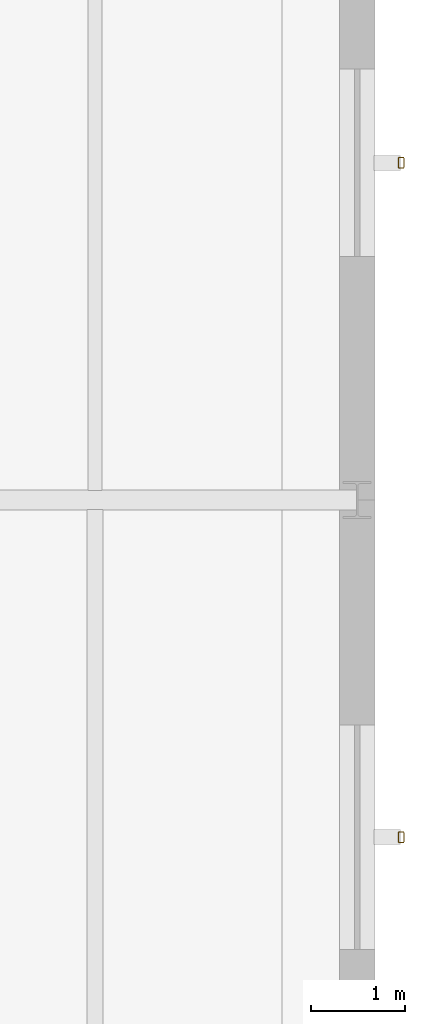
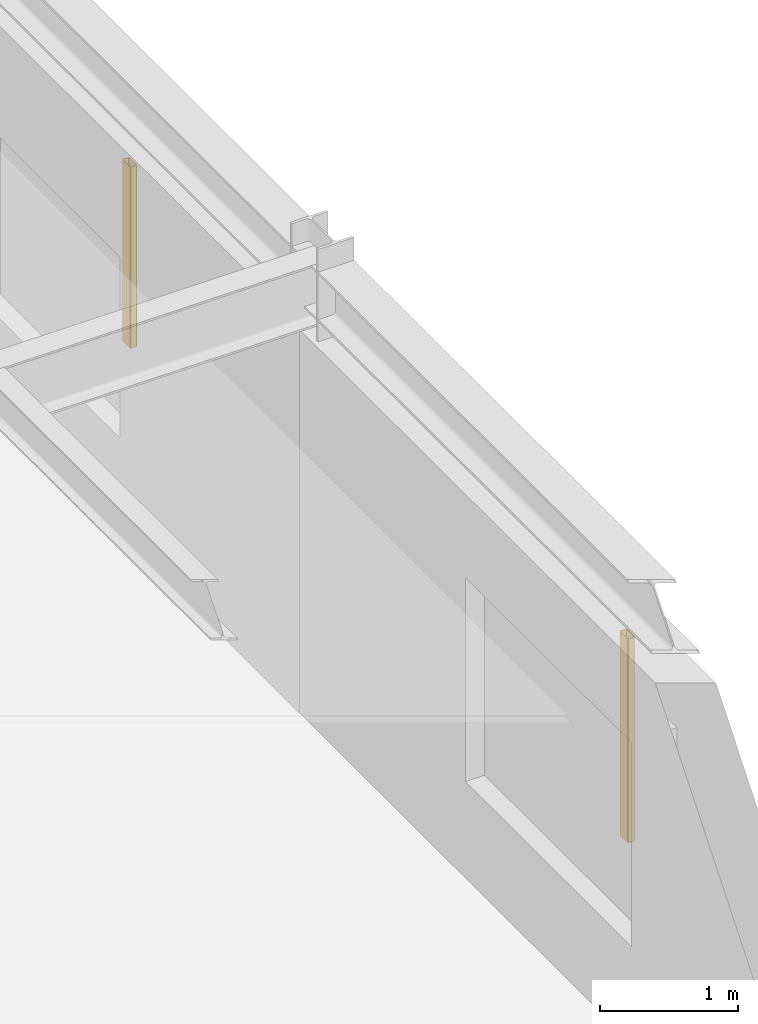
# One storey, part 100 of 109: 2 shading devices.
"""IFC4 building model written with IfcOpenShell, lengths in metres."""

import ifcopenshell
import ifcopenshell.guid

model = None  # the IFC model being written
_history = None  # IfcOwnerHistory: only IFC2X3 demands one
_inside = {}  # id of a spatial element -> (the spatial element, [elements in it])
_under = {}  # id of a project, library or spatial element -> (it, [spatial elements below it])
_declared = {}  # id of a project -> (the project, [libraries it declares])
_typed = {}  # id of a type object -> (the type object, [elements of that type])
_made_of = {}  # id of a material, layer set ... -> (it, [elements and type objects made of it])


def new_model(schema):
    """Start an empty IFC model of exactly this schema.

    Asked for "IFC4X3", IfcOpenShell would pick the latest addendum, in which some entities
    have other attributes; the version numbers below select the first issue.
    IFC2X3 requires an IfcOwnerHistory on every rooted entity: one is made here for all.
    """
    global model, _history
    if schema == "IFC4X3":
        model = ifcopenshell.file(schema_version=(4, 3, 0, 0))
    else:
        model = ifcopenshell.file(schema=schema)
    _inside.clear()
    _under.clear()
    _declared.clear()
    _typed.clear()
    _made_of.clear()
    _history = None
    if model.schema == "IFC2X3":
        org = make("IfcOrganization", Name="unknown")
        user = make(
            "IfcPersonAndOrganization",
            ThePerson=make("IfcPerson", FamilyName="unknown"),
            TheOrganization=org,
        )
        app = make(
            "IfcApplication",
            ApplicationDeveloper=org,
            Version="unknown",
            ApplicationFullName="unknown",
            ApplicationIdentifier="unknown",
        )
        _history = make(
            "IfcOwnerHistory",
            OwningUser=user,
            OwningApplication=app,
            ChangeAction="ADDED",
            CreationDate=0,
        )
    return model


def make(cls, **values):
    """One entity of the class cls with the attributes given. An attribute that is None is left unset."""
    return model.create_entity(
        cls, **{name: value for name, value in values.items() if value is not None}
    )


def rooted(cls, **values):
    """An entity with a GlobalId (a new one), such as an element, a storey or a relation."""
    return make(cls, GlobalId=ifcopenshell.guid.new(), OwnerHistory=_history, **values)


def si_unit(unit_type, name, prefix=None):
    """IfcSIUnit, for example si_unit("LENGTHUNIT", "METRE", prefix="MILLI")."""
    return make("IfcSIUnit", UnitType=unit_type, Prefix=prefix, Name=name)


def derived_unit(unit_type, elements):
    """IfcDerivedUnit: a product of units, each with its exponent."""
    return make(
        "IfcDerivedUnit",
        Elements=[
            make("IfcDerivedUnitElement", Unit=unit, Exponent=power)
            for unit, power in elements
        ],
        UnitType=unit_type,
    )


def assignment(units):
    """IfcUnitAssignment: the units of a project."""
    return None if units is None else make("IfcUnitAssignment", Units=units)


def point(xyz):
    """IfcCartesianPoint."""
    return None if xyz is None else make("IfcCartesianPoint", Coordinates=xyz)


def direction(xyz):
    """IfcDirection."""
    return None if xyz is None else make("IfcDirection", DirectionRatios=xyz)


def frame(location, z_axis=None, x_axis=None):
    """IfcAxis2Placement3D, a coordinate frame: its origin and axes. An axis left out is left unset."""
    return make(
        "IfcAxis2Placement3D",
        Location=point(location),
        Axis=direction(z_axis),
        RefDirection=direction(x_axis),
    )


def frame_2d(location, x_axis=None):
    """IfcAxis2Placement2D, a coordinate frame in the plane: its origin and x axis."""
    return make(
        "IfcAxis2Placement2D", Location=point(location), RefDirection=direction(x_axis)
    )


def origin():
    """The frame at (0, 0, 0) with its axes left unset."""
    return frame((0.0, 0.0, 0.0))


def origin_2d():
    """The frame at (0, 0) in the plane with its x axis left unset."""
    return frame_2d((0.0, 0.0))


def place(relative_to, where):
    """IfcLocalPlacement: puts the frame where relative to a parent placement (None: the world)."""
    return make(
        "IfcLocalPlacement", PlacementRelTo=relative_to, RelativePlacement=where
    )


def context(
    kind, dimensions, precision=None, world=None, true_north=None, identifier=None
):
    """IfcGeometricRepresentationContext, for example the 3D "Model" context."""
    return make(
        "IfcGeometricRepresentationContext",
        ContextIdentifier=identifier,
        ContextType=kind,
        CoordinateSpaceDimension=dimensions,
        Precision=precision,
        WorldCoordinateSystem=world,
        TrueNorth=true_north,
    )


def subcontext(parent, identifier, kind, view, scale=None):
    """IfcGeometricRepresentationSubContext, for example "Body" below "Model"."""
    return make(
        "IfcGeometricRepresentationSubContext",
        ContextIdentifier=identifier,
        ContextType=kind,
        ParentContext=parent,
        TargetScale=scale,
        TargetView=view,
    )


def project(units=None, contexts=None):
    """IfcProject with its units and contexts."""
    return rooted(
        "IfcProject",
        Name="project",
        RepresentationContexts=contexts,
        UnitsInContext=assignment(units),
    )


def spatial(cls, under=None, at=None, **own):
    """A site, building, storey or space (cls), placed at a placement, below another one or the project."""
    s = rooted(cls, ObjectPlacement=at, **own)
    if under is not None:
        _under.setdefault(under.id(), (under, []))[1].append(s)
    return s


def profile(cls, at=None, kind="AREA", **sizes):
    """A parametric profile (cls). Its sizes go by their IFC names, for example OverallWidth=200.0."""
    return make(cls, ProfileType=kind, Position=at, **sizes)


def hollow_rectangle(**sizes):
    """IfcRectangleHollowProfileDef."""
    return profile("IfcRectangleHollowProfileDef", **sizes)


def extrude(swept, where, along, depth):
    """IfcExtrudedAreaSolid: the profile swept, set in the frame where, extruded along a direction by depth."""
    return make(
        "IfcExtrudedAreaSolid",
        SweptArea=swept,
        Position=where,
        ExtrudedDirection=direction(along),
        Depth=depth,
    )


def shape(context_of_items, identifier, shape_type, items):
    """IfcShapeRepresentation: the items that make up one representation, for example the "Body"."""
    return make(
        "IfcShapeRepresentation",
        ContextOfItems=context_of_items,
        RepresentationIdentifier=identifier,
        RepresentationType=shape_type,
        Items=items,
    )


def material(Name=None, Category=None):
    """IfcMaterial."""
    return make("IfcMaterial", Name=Name, Category=Category)


def material_profile(
    of_material, cross_section, Name=None, Category=None, Priority=None
):
    """IfcMaterialProfile: a cross section and its material."""
    return make(
        "IfcMaterialProfile",
        Name=Name,
        Material=of_material,
        Profile=cross_section,
        Priority=Priority,
        Category=Category,
    )


def profile_set(profiles, Name=None, composite=None):
    """IfcMaterialProfileSet."""
    return make(
        "IfcMaterialProfileSet",
        Name=Name,
        MaterialProfiles=profiles,
        CompositeProfile=composite,
    )


def made_of(thing, what):
    """Note that an element or type object is made of a material, layer set ...; save() writes the relation."""
    if what is not None:
        _made_of.setdefault(what.id(), (what, []))[1].append(thing)
    return thing


def type_object(cls, material=None, **own):
    """A type object (cls), such as IfcWallType, which elements share."""
    return made_of(rooted(cls, **own), material)


def element(
    cls,
    number,
    at=None,
    inside=None,
    cuts=None,
    type_object=None,
    material=None,
    context=None,
    identifier="Body",
    shape_type=None,
    held_by="IfcProductDefinitionShape",
    body=None,
    shapes=None,
    **own,
):
    """One element of the class cls, such as IfcWall. Its Tag is "e" and its number.

    at: its placement. inside: the storey or other place that contains it. cuts: it is an
    opening in that element (IfcRelVoidsElement). A single representation is given by context,
    identifier, shape_type and body (its items); several are given by shapes. held_by: the class
    of the entity that holds the representations. save() writes the other relations.
    """
    e = rooted(cls, Tag="e%d" % number, ObjectPlacement=at, **own)
    if body is not None:
        shapes = [shape(context, identifier, shape_type, body)]
    if shapes is not None:
        e.Representation = make(held_by, Representations=shapes)
    if inside is not None:
        _inside.setdefault(inside.id(), (inside, []))[1].append(e)
    if cuts is not None:
        rooted(
            "IfcRelVoidsElement", RelatingBuildingElement=cuts, RelatedOpeningElement=e
        )
    if type_object is not None:
        _typed.setdefault(type_object.id(), (type_object, []))[1].append(e)
    return made_of(e, material)


def aggregate(whole, parts):
    """IfcRelAggregates: a whole, such as a stair, and the parts it consists of."""
    return rooted("IfcRelAggregates", RelatingObject=whole, RelatedObjects=parts)


def save(model, path):
    """Write the relations noted so far, then the file.

    IfcRelAggregates (storeys below a building ...), IfcRelContainedInSpatialStructure (elements
    in a storey), IfcRelDefinesByType, IfcRelAssociatesMaterial and IfcRelDeclares: one each for
    every whole, place, type object, material and project.
    """
    for whole, parts in _under.values():
        aggregate(whole, parts)
    for where, things in _inside.values():
        rooted(
            "IfcRelContainedInSpatialStructure",
            RelatedElements=things,
            RelatingStructure=where,
        )
    for kind, things in _typed.values():
        rooted("IfcRelDefinesByType", RelatedObjects=things, RelatingType=kind)
    for what, things in _made_of.values():
        rooted("IfcRelAssociatesMaterial", RelatedObjects=things, RelatingMaterial=what)
    for by, libraries in _declared.values():
        rooted("IfcRelDeclares", RelatingContext=by, RelatedDefinitions=libraries)
    model.write(path)


model = new_model("IFC4")

# Units and contexts
model_context = context("Model", 3, precision=1e-05, world=origin(), true_north=direction((0.0, 1.0)))
body_context = subcontext(model_context, "Body", "Model", "MODEL_VIEW")
ifc_project = project(units=[si_unit("LENGTHUNIT", "METRE"), si_unit("AREAUNIT", "SQUARE_METRE"), si_unit("VOLUMEUNIT", "CUBIC_METRE"), si_unit("PLANEANGLEUNIT", "RADIAN"), si_unit("MASSUNIT", "GRAM", prefix="KILO"), derived_unit("THERMALTRANSMITTANCEUNIT", [(si_unit("MASSUNIT", "GRAM", prefix="KILO"), 1), (si_unit("TIMEUNIT", "SECOND"), -3), (si_unit("THERMODYNAMICTEMPERATUREUNIT", "KELVIN"), -1)])], contexts=[model_context])

# Site, building, storey
site_placement = place(None, origin())
site = spatial("IfcSite", under=ifc_project, at=site_placement, CompositionType="ELEMENT")
building_placement = place(site_placement, origin())
building = spatial("IfcBuilding", under=site, at=building_placement, Name="Kharveza Railside Sports Centre", CompositionType="ELEMENT")
storey_placement = place(building_placement, frame((0.0, 0.0, 4.5)))
storey = spatial("IfcBuildingStorey", under=building, at=storey_placement, Name="L01", CompositionType="ELEMENT", Elevation=4.5)

# Shading devices
ifc_material = material(Name="Anodised aluminium 6063-T6", Category="aluminium")
ifc_material_profile = material_profile(ifc_material, hollow_rectangle(XDim=0.06005859375, YDim=0.1201171875, WallThickness=0.0048828125, InnerFilletRadius=0.0048828125, OuterFilletRadius=0.010009765625, at=origin_2d()), Name="RHS 60x120x5.0")
ifc_profile_set = profile_set([ifc_material_profile], Name="Anodised aluminium 6063-T6")
shading_device_type = type_object("IfcShadingDeviceType", Name="SD-LV01", PredefinedType="JALOUSIE", material=ifc_profile_set)
shading_device_1_placement = place(storey_placement, frame((168.469970703125, 32.39990234375, 0.85009765625), z_axis=(0.0, 0.0, 1.0), x_axis=(1.0, 0.0, 0.0)))
element("IfcShadingDevice", 1, at=shading_device_1_placement, inside=storey, type_object=shading_device_type, Name="SD-FIN-040", PredefinedType="JALOUSIE", context=body_context, shape_type="SweptSolid", body=[
    extrude(hollow_rectangle(XDim=0.06005859375, YDim=0.1201171875, WallThickness=0.0048828125, InnerFilletRadius=0.0048828125, OuterFilletRadius=0.010009765625, at=origin_2d()), origin(), (0.0, 0.0, 1.0), 1.7998046875),
])
shading_device_2_placement = place(storey_placement, frame((168.469970703125, 39.60009765625, 0.85009765625), z_axis=(0.0, 0.0, 1.0), x_axis=(1.0, 0.0, 0.0)))
element("IfcShadingDevice", 2, at=shading_device_2_placement, inside=storey, type_object=shading_device_type, Name="SD-FIN-041", PredefinedType="JALOUSIE", context=body_context, shape_type="SweptSolid", body=[
    extrude(hollow_rectangle(XDim=0.06005859375, YDim=0.1201171875, WallThickness=0.0048828125, InnerFilletRadius=0.0048828125, OuterFilletRadius=0.010009765625, at=origin_2d()), origin(), (0.0, 0.0, 1.0), 1.599853515625),
])

save(model, "model.ifc")
